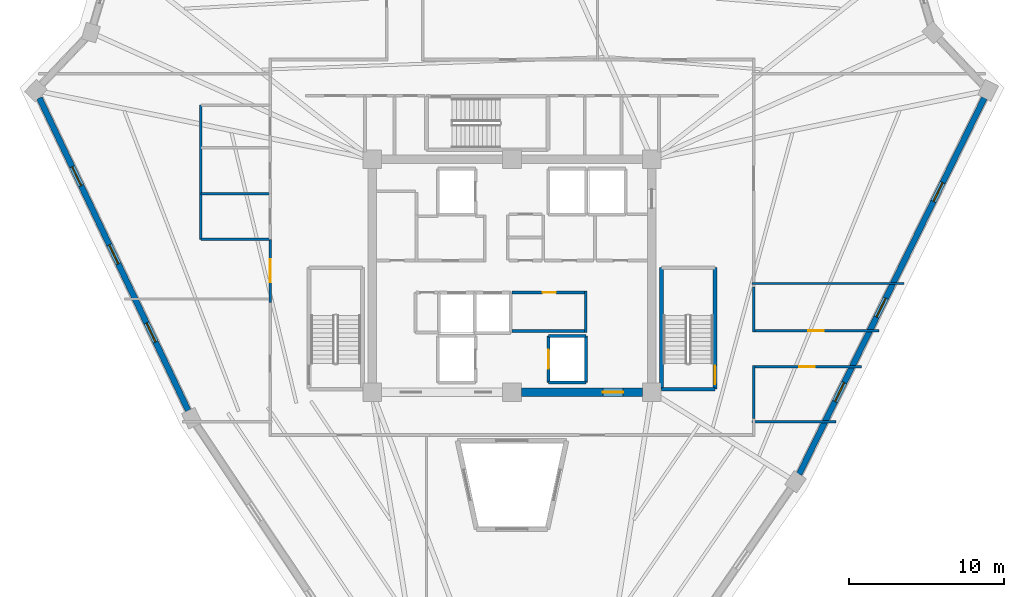
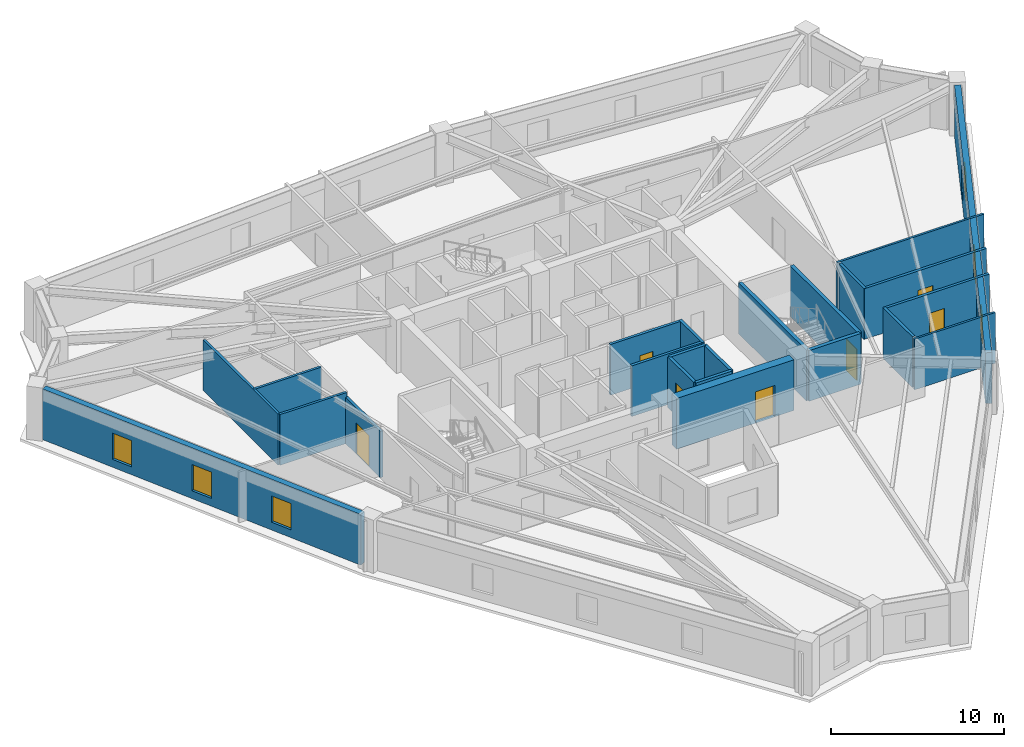
# One storey, part 4 of 8: 23 walls, 7 doors, 6 windows, 13 openings.
"""IFC4 building model written with IfcOpenShell, lengths in metres."""

import ifcopenshell
import ifcopenshell.guid

model = None  # the IFC model being written
_history = None  # IfcOwnerHistory: only IFC2X3 demands one
_inside = {}  # id of a spatial element -> (the spatial element, [elements in it])
_under = {}  # id of a project, library or spatial element -> (it, [spatial elements below it])
_declared = {}  # id of a project -> (the project, [libraries it declares])
_typed = {}  # id of a type object -> (the type object, [elements of that type])
_made_of = {}  # id of a material, layer set ... -> (it, [elements and type objects made of it])


def new_model(schema):
    """Start an empty IFC model of exactly this schema.

    Asked for "IFC4X3", IfcOpenShell would pick the latest addendum, in which some entities
    have other attributes; the version numbers below select the first issue.
    IFC2X3 requires an IfcOwnerHistory on every rooted entity: one is made here for all.
    """
    global model, _history
    if schema == "IFC4X3":
        model = ifcopenshell.file(schema_version=(4, 3, 0, 0))
    else:
        model = ifcopenshell.file(schema=schema)
    _inside.clear()
    _under.clear()
    _declared.clear()
    _typed.clear()
    _made_of.clear()
    _history = None
    if model.schema == "IFC2X3":
        org = make("IfcOrganization", Name="unknown")
        user = make(
            "IfcPersonAndOrganization",
            ThePerson=make("IfcPerson", FamilyName="unknown"),
            TheOrganization=org,
        )
        app = make(
            "IfcApplication",
            ApplicationDeveloper=org,
            Version="unknown",
            ApplicationFullName="unknown",
            ApplicationIdentifier="unknown",
        )
        _history = make(
            "IfcOwnerHistory",
            OwningUser=user,
            OwningApplication=app,
            ChangeAction="ADDED",
            CreationDate=0,
        )
    return model


def make(cls, **values):
    """One entity of the class cls with the attributes given. An attribute that is None is left unset."""
    return model.create_entity(
        cls, **{name: value for name, value in values.items() if value is not None}
    )


def rooted(cls, **values):
    """An entity with a GlobalId (a new one), such as an element, a storey or a relation."""
    return make(cls, GlobalId=ifcopenshell.guid.new(), OwnerHistory=_history, **values)


def si_unit(unit_type, name, prefix=None):
    """IfcSIUnit, for example si_unit("LENGTHUNIT", "METRE", prefix="MILLI")."""
    return make("IfcSIUnit", UnitType=unit_type, Prefix=prefix, Name=name)


def assignment(units):
    """IfcUnitAssignment: the units of a project."""
    return None if units is None else make("IfcUnitAssignment", Units=units)


def point(xyz):
    """IfcCartesianPoint."""
    return None if xyz is None else make("IfcCartesianPoint", Coordinates=xyz)


def direction(xyz):
    """IfcDirection."""
    return None if xyz is None else make("IfcDirection", DirectionRatios=xyz)


def frame(location, z_axis=None, x_axis=None):
    """IfcAxis2Placement3D, a coordinate frame: its origin and axes. An axis left out is left unset."""
    return make(
        "IfcAxis2Placement3D",
        Location=point(location),
        Axis=direction(z_axis),
        RefDirection=direction(x_axis),
    )


def frame_2d(location, x_axis=None):
    """IfcAxis2Placement2D, a coordinate frame in the plane: its origin and x axis."""
    return make(
        "IfcAxis2Placement2D", Location=point(location), RefDirection=direction(x_axis)
    )


def origin():
    """The frame at (0, 0, 0) with its axes left unset."""
    return frame((0.0, 0.0, 0.0))


def place(relative_to, where):
    """IfcLocalPlacement: puts the frame where relative to a parent placement (None: the world)."""
    return make(
        "IfcLocalPlacement", PlacementRelTo=relative_to, RelativePlacement=where
    )


def context(
    kind, dimensions, precision=None, world=None, true_north=None, identifier=None
):
    """IfcGeometricRepresentationContext, for example the 3D "Model" context."""
    return make(
        "IfcGeometricRepresentationContext",
        ContextIdentifier=identifier,
        ContextType=kind,
        CoordinateSpaceDimension=dimensions,
        Precision=precision,
        WorldCoordinateSystem=world,
        TrueNorth=true_north,
    )


def subcontext(parent, identifier, kind, view, scale=None):
    """IfcGeometricRepresentationSubContext, for example "Body" below "Model"."""
    return make(
        "IfcGeometricRepresentationSubContext",
        ContextIdentifier=identifier,
        ContextType=kind,
        ParentContext=parent,
        TargetScale=scale,
        TargetView=view,
    )


def project(units=None, contexts=None):
    """IfcProject with its units and contexts."""
    return rooted(
        "IfcProject",
        Name="project",
        RepresentationContexts=contexts,
        UnitsInContext=assignment(units),
    )


def spatial(cls, under=None, at=None, **own):
    """A site, building, storey or space (cls), placed at a placement, below another one or the project."""
    s = rooted(cls, ObjectPlacement=at, **own)
    if under is not None:
        _under.setdefault(under.id(), (under, []))[1].append(s)
    return s


def profile(cls, at=None, kind="AREA", **sizes):
    """A parametric profile (cls). Its sizes go by their IFC names, for example OverallWidth=200.0."""
    return make(cls, ProfileType=kind, Position=at, **sizes)


def rectangle(**sizes):
    """IfcRectangleProfileDef."""
    return profile("IfcRectangleProfileDef", **sizes)


def extrude(swept, where, along, depth):
    """IfcExtrudedAreaSolid: the profile swept, set in the frame where, extruded along a direction by depth."""
    return make(
        "IfcExtrudedAreaSolid",
        SweptArea=swept,
        Position=where,
        ExtrudedDirection=direction(along),
        Depth=depth,
    )


def shape(context_of_items, identifier, shape_type, items):
    """IfcShapeRepresentation: the items that make up one representation, for example the "Body"."""
    return make(
        "IfcShapeRepresentation",
        ContextOfItems=context_of_items,
        RepresentationIdentifier=identifier,
        RepresentationType=shape_type,
        Items=items,
    )


def source(mapping_origin, context_of_items, identifier, shape_type, items):
    """IfcRepresentationMap: a shape defined once, which mapped items show again and again."""
    return make(
        "IfcRepresentationMap",
        MappingOrigin=mapping_origin,
        MappedRepresentation=shape(context_of_items, identifier, shape_type, items),
    )


def transform(
    local_origin,
    x_axis=None,
    y_axis=None,
    z_axis=None,
    scale=None,
    scale2=None,
    scale3=None,
    uniform=True,
):
    """IfcCartesianTransformationOperator3D, or its non-uniform kind. x_axis, y_axis, z_axis: its Axis1, 2, 3."""
    if uniform:
        return make(
            "IfcCartesianTransformationOperator3D",
            Axis1=direction(x_axis),
            Axis2=direction(y_axis),
            LocalOrigin=point(local_origin),
            Scale=scale,
            Axis3=direction(z_axis),
        )
    return make(
        "IfcCartesianTransformationOperator3DnonUniform",
        Axis1=direction(x_axis),
        Axis2=direction(y_axis),
        LocalOrigin=point(local_origin),
        Scale=scale,
        Axis3=direction(z_axis),
        Scale2=scale2,
        Scale3=scale3,
    )


def mapped(mapping_source, mapping_target):
    """IfcMappedItem: shows the shape of a source again, moved by a transform."""
    return make(
        "IfcMappedItem", MappingSource=mapping_source, MappingTarget=mapping_target
    )


def material(Name=None, Category=None):
    """IfcMaterial."""
    return make("IfcMaterial", Name=Name, Category=Category)


def layer(
    of_material, thickness, ventilated=None, Name=None, Category=None, Priority=None
):
    """IfcMaterialLayer: one layer of a wall or slab, of a material (None: an air gap)."""
    return make(
        "IfcMaterialLayer",
        Material=of_material,
        LayerThickness=thickness,
        IsVentilated=ventilated,
        Name=Name,
        Category=Category,
        Priority=Priority,
    )


def layer_set(layers, Name=None):
    """IfcMaterialLayerSet."""
    return make("IfcMaterialLayerSet", MaterialLayers=layers, LayerSetName=Name)


def made_of(thing, what):
    """Note that an element or type object is made of a material, layer set ...; save() writes the relation."""
    if what is not None:
        _made_of.setdefault(what.id(), (what, []))[1].append(thing)
    return thing


def type_object(cls, material=None, **own):
    """A type object (cls), such as IfcWallType, which elements share."""
    return made_of(rooted(cls, **own), material)


def element(
    cls,
    number,
    at=None,
    inside=None,
    cuts=None,
    type_object=None,
    material=None,
    context=None,
    identifier="Body",
    shape_type=None,
    held_by="IfcProductDefinitionShape",
    body=None,
    shapes=None,
    **own,
):
    """One element of the class cls, such as IfcWall. Its Tag is "e" and its number.

    at: its placement. inside: the storey or other place that contains it. cuts: it is an
    opening in that element (IfcRelVoidsElement). A single representation is given by context,
    identifier, shape_type and body (its items); several are given by shapes. held_by: the class
    of the entity that holds the representations. save() writes the other relations.
    """
    e = rooted(cls, Tag="e%d" % number, ObjectPlacement=at, **own)
    if body is not None:
        shapes = [shape(context, identifier, shape_type, body)]
    if shapes is not None:
        e.Representation = make(held_by, Representations=shapes)
    if inside is not None:
        _inside.setdefault(inside.id(), (inside, []))[1].append(e)
    if cuts is not None:
        rooted(
            "IfcRelVoidsElement", RelatingBuildingElement=cuts, RelatedOpeningElement=e
        )
    if type_object is not None:
        _typed.setdefault(type_object.id(), (type_object, []))[1].append(e)
    return made_of(e, material)


def fill(opening, filler):
    """IfcRelFillsElement: the door or window that sits in an opening."""
    return rooted(
        "IfcRelFillsElement",
        RelatingOpeningElement=opening,
        RelatedBuildingElement=filler,
    )


def aggregate(whole, parts):
    """IfcRelAggregates: a whole, such as a stair, and the parts it consists of."""
    return rooted("IfcRelAggregates", RelatingObject=whole, RelatedObjects=parts)


def save(model, path):
    """Write the relations noted so far, then the file.

    IfcRelAggregates (storeys below a building ...), IfcRelContainedInSpatialStructure (elements
    in a storey), IfcRelDefinesByType, IfcRelAssociatesMaterial and IfcRelDeclares: one each for
    every whole, place, type object, material and project.
    """
    for whole, parts in _under.values():
        aggregate(whole, parts)
    for where, things in _inside.values():
        rooted(
            "IfcRelContainedInSpatialStructure",
            RelatedElements=things,
            RelatingStructure=where,
        )
    for kind, things in _typed.values():
        rooted("IfcRelDefinesByType", RelatedObjects=things, RelatingType=kind)
    for what, things in _made_of.values():
        rooted("IfcRelAssociatesMaterial", RelatedObjects=things, RelatingMaterial=what)
    for by, libraries in _declared.values():
        rooted("IfcRelDeclares", RelatingContext=by, RelatedDefinitions=libraries)
    model.write(path)


model = new_model("IFC4")

# Units and contexts
model_context = context("Model", 3, precision=1e-05, world=origin(), true_north=direction((0.0, 1.0)))
body_context = subcontext(model_context, "Body", "Model", "MODEL_VIEW")
ifc_project = project(units=[si_unit("LENGTHUNIT", "METRE"), si_unit("AREAUNIT", "SQUARE_METRE"), si_unit("VOLUMEUNIT", "CUBIC_METRE"), si_unit("PLANEANGLEUNIT", "RADIAN"), si_unit("MASSUNIT", "GRAM", prefix="KILO")], contexts=[model_context])

# Site, building, storey
site_placement = place(None, origin())
site = spatial("IfcSite", under=ifc_project, at=site_placement, CompositionType="ELEMENT")
building_placement = place(site_placement, origin())
building = spatial("IfcBuilding", under=site, at=building_placement, Name="Liaohun Quay Tower", CompositionType="ELEMENT")
storey_placement = place(building_placement, frame((0.0, 0.0, 290.25)))
storey = spatial("IfcBuildingStorey", under=building, at=storey_placement, Name="L75", CompositionType="ELEMENT", Elevation=290.25)

# Wall, opening, door
ifc_material_1 = material(Name="Concrete C50", Category="concrete")
ifc_layer_1 = layer(ifc_material_1, 0.550048828125, Name="Concrete C50", Category="concrete")
ifc_layer_set_1 = layer_set([ifc_layer_1], Name="Concrete C50")
wall_type_1 = type_object("IfcWallType", Name="WAL-COR-Z4", PredefinedType="SHEAR", material=ifc_layer_set_1)
wall_1_placement = place(storey_placement, frame((68.39990234375, 46.5, 0.0), z_axis=(0.0, 0.0, 1.0), x_axis=(-1.0, 0.0, 0.0)))
wall_1 = element("IfcWall", 1, at=wall_1_placement, inside=storey, type_object=wall_type_1, Name="L75 Central Core Shear Wall S-E", PredefinedType="SHEAR", context=body_context, shape_type="SweptSolid", body=[
    extrude(rectangle(XDim=7.7998046875, YDim=0.550048828125, at=frame_2d((3.89990234375, 0.0))), origin(), (0.0, 0.0, 1.0), 3.570068359375),
])
shared_shape_1 = source(origin(), body_context, "Body", "SweptSolid", [
    extrude(rectangle(XDim=1.300048828125, YDim=2.199951171875, at=frame_2d((0.64990234375, 1.10009765625))), frame((0.0, 0.284912109375, 0.0), z_axis=(0.0, -1.0, 0.0), x_axis=(1.0, 0.0, 0.0)), (0.0, 0.0, 1.0), 0.570068359375),
])
opening_1_placement = place(wall_1_placement, frame((1.25, 0.0, 0.0)))
opening_1 = element("IfcOpeningElement", 2, at=opening_1_placement, cuts=wall_1, Name="Opening FD1", PredefinedType="OPENING", context=body_context, shape_type="MappedRepresentation", body=[
    mapped(shared_shape_1, transform((0.0, 0.0, 0.0), x_axis=(1.0, 0.0, 0.0), y_axis=(0.0, 1.0, 0.0), z_axis=(0.0, 0.0, 1.0), scale=1.0)),
])
ifc_material_2 = material(Name="Galvanised steel smokeproof fire door", Category="steel")
door_type_1 = type_object("IfcDoorType", Name="DOR-FFL-1300", OperationType="NOTDEFINED", PredefinedType="DOOR", material=ifc_material_2)
shared_shape_2 = source(origin(), body_context, "Body", "SweptSolid", [
    extrude(rectangle(XDim=1.300048828125, YDim=2.199951171875, at=frame_2d((0.64990234375, 1.10009765625))), frame((0.0, 0.02490234375, 0.0), z_axis=(0.0, -1.0, 0.0), x_axis=(1.0, 0.0, 0.0)), (0.0, 0.0, 1.0), 0.050048828125),
])
door_1_placement = place(opening_1_placement, origin())
door_1 = element("IfcDoor", 3, at=door_1_placement, inside=storey, type_object=door_type_1, Name="L75 East Core Lift Lobby Smokeproof Door", OperationType="SINGLE_SWING_LEFT", OverallHeight=2.199951171875, OverallWidth=1.300048828125, PredefinedType="DOOR", context=body_context, shape_type="MappedRepresentation", body=[
    mapped(shared_shape_2, transform((0.0, 0.0, 0.0), x_axis=(1.0, 0.0, 0.0), y_axis=(0.0, 1.0, 0.0), z_axis=(0.0, 0.0, 1.0), scale=1.0)),
])
fill(opening_1, door_1)

# Wall, openings, windows
ifc_material_3 = material(Name="Precast concrete C50 insulated sandwich", Category="concrete")
ifc_layer_2 = layer(ifc_material_3, 0.3798828125, Name="Precast concrete C50 insulated sandwich", Category="concrete")
ifc_layer_set_2 = layer_set([ifc_layer_2], Name="Precast concrete C50 insulated sandwich")
wall_type_2 = type_object("IfcWallType", Name="WAL-EXT-Z34", PredefinedType="SOLIDWALL", material=ifc_layer_set_2)
wall_2_placement = place(storey_placement, frame((78.47998046875, 41.22607421875, 0.0), z_axis=(0.0, 0.0, 1.0), x_axis=(0.441646832519, 0.89718898529, 0.0)))
wall_2 = element("IfcWall", 4, at=wall_2_placement, inside=storey, type_object=wall_type_2, Name="L75 Brutalist Precast Pier Wall 03", PredefinedType="SOLIDWALL", context=body_context, shape_type="SweptSolid", body=[
    extrude(rectangle(XDim=26.987548828125, YDim=0.3798828125, at=frame_2d((13.49365234375, 0.0))), origin(), (0.0, 0.0, 1.0), 3.570068359375),
])
shared_shape_3 = source(origin(), body_context, "Body", "SweptSolid", [
    extrude(rectangle(XDim=1.35009765625, YDim=1.85009765625, at=frame_2d((0.675048828125, 0.925048828125))), frame((0.0, 0.199951171875, 0.0), z_axis=(0.0, -1.0, 0.0), x_axis=(1.0, 0.0, 0.0)), (0.0, 0.0, 1.0), 0.39990234375),
])
opening_2_placement = place(wall_2_placement, frame((5.221923828125, 0.0, 0.550048828125)))
opening_2 = element("IfcOpeningElement", 5, at=opening_2_placement, cuts=wall_2, Name="Opening W04", PredefinedType="OPENING", context=body_context, shape_type="MappedRepresentation", body=[
    mapped(shared_shape_3, transform((0.0, 0.0, 0.0), x_axis=(1.0, 0.0, 0.0), y_axis=(0.0, 1.0, 0.0), z_axis=(0.0, 0.0, 1.0), scale=1.0)),
])
opening_3_placement = place(wall_2_placement, frame((11.26904296875, 0.0, 0.550048828125)))
opening_3 = element("IfcOpeningElement", 6, at=opening_3_placement, cuts=wall_2, Name="Opening W04", PredefinedType="OPENING", context=body_context, shape_type="MappedRepresentation", body=[
    mapped(shared_shape_3, transform((0.0, 0.0, 0.0), x_axis=(1.0, 0.0, 0.0), y_axis=(0.0, 1.0, 0.0), z_axis=(0.0, 0.0, 1.0), scale=1.0)),
])
opening_4_placement = place(wall_2_placement, frame((19.56591796875, 0.0, 0.550048828125)))
opening_4 = element("IfcOpeningElement", 7, at=opening_4_placement, cuts=wall_2, Name="Opening W04", PredefinedType="OPENING", context=body_context, shape_type="MappedRepresentation", body=[
    mapped(shared_shape_3, transform((0.0, 0.0, 0.0), x_axis=(1.0, 0.0, 0.0), y_axis=(0.0, 1.0, 0.0), z_axis=(0.0, 0.0, 1.0), scale=1.0)),
])
ifc_material_4 = material(Name="Triple Low-E argon glazing in thermally broken aluminium", Category="aluminium")
window_type = type_object("IfcWindowType", Name="WIN-PUN-Z4", PartitioningType="SINGLE_PANEL", PredefinedType="WINDOW", material=ifc_material_4)
shared_shape_4 = source(origin(), body_context, "Body", "SweptSolid", [
    extrude(rectangle(XDim=1.35009765625, YDim=1.85009765625, at=frame_2d((0.675048828125, 0.925048828125))), frame((0.0, 0.030029296875, 0.0), z_axis=(0.0, -1.0, 0.0), x_axis=(1.0, 0.0, 0.0)), (0.0, 0.0, 1.0), 0.06005859375),
])
window_1_placement = place(opening_2_placement, origin())
window_1 = element("IfcWindow", 8, at=window_1_placement, inside=storey, type_object=window_type, Name="L75 Recessed Cold-Climate Punched Window 03-1", OverallHeight=1.85009765625, OverallWidth=1.35009765625, PartitioningType="SINGLE_PANEL", PredefinedType="WINDOW", context=body_context, shape_type="MappedRepresentation", body=[
    mapped(shared_shape_4, transform((0.0, 0.0, 0.0), x_axis=(1.0, 0.0, 0.0), y_axis=(0.0, 1.0, 0.0), z_axis=(0.0, 0.0, 1.0), scale=1.0)),
])
fill(opening_2, window_1)
window_2_placement = place(opening_3_placement, origin())
window_2 = element("IfcWindow", 9, at=window_2_placement, inside=storey, type_object=window_type, Name="L75 Recessed Cold-Climate Punched Window 03-2", OverallHeight=1.85009765625, OverallWidth=1.35009765625, PartitioningType="SINGLE_PANEL", PredefinedType="WINDOW", context=body_context, shape_type="MappedRepresentation", body=[
    mapped(shared_shape_4, transform((0.0, 0.0, 0.0), x_axis=(1.0, 0.0, 0.0), y_axis=(0.0, 1.0, 0.0), z_axis=(0.0, 0.0, 1.0), scale=1.0)),
])
fill(opening_3, window_2)
window_3_placement = place(opening_4_placement, origin())
window_3 = element("IfcWindow", 10, at=window_3_placement, inside=storey, type_object=window_type, Name="L75 Recessed Cold-Climate Punched Window 03-3", OverallHeight=1.85009765625, OverallWidth=1.35009765625, PartitioningType="SINGLE_PANEL", PredefinedType="WINDOW", context=body_context, shape_type="MappedRepresentation", body=[
    mapped(shared_shape_4, transform((0.0, 0.0, 0.0), x_axis=(1.0, 0.0, 0.0), y_axis=(0.0, 1.0, 0.0), z_axis=(0.0, 0.0, 1.0), scale=1.0)),
])
fill(opening_4, window_3)

wall_3_placement = place(storey_placement, frame((29.590087890625, 65.428955078125, 0.0), z_axis=(0.0, 0.0, 1.0), x_axis=(0.429890605998, -0.902880981567, 0.0)))
wall_3 = element("IfcWall", 11, at=wall_3_placement, inside=storey, type_object=wall_type_2, Name="L75 Brutalist Precast Pier Wall 10", PredefinedType="SOLIDWALL", context=body_context, shape_type="SweptSolid", body=[
    extrude(rectangle(XDim=22.27294921875, YDim=0.3798828125, at=frame_2d((11.136474609375, 0.0))), origin(), (0.0, 0.0, 1.0), 3.570068359375),
])
opening_5_placement = place(wall_3_placement, frame((4.89306640625, 0.0, 0.550048828125)))
opening_5 = element("IfcOpeningElement", 12, at=opening_5_placement, cuts=wall_3, Name="Opening W04", PredefinedType="OPENING", context=body_context, shape_type="MappedRepresentation", body=[
    mapped(shared_shape_3, transform((0.0, 0.0, 0.0), x_axis=(1.0, 0.0, 0.0), y_axis=(0.0, 1.0, 0.0), z_axis=(0.0, 0.0, 1.0), scale=1.0)),
])
opening_6_placement = place(wall_3_placement, frame((10.4619140625, 0.0, 0.550048828125)))
opening_6 = element("IfcOpeningElement", 13, at=opening_6_placement, cuts=wall_3, Name="Opening W04", PredefinedType="OPENING", context=body_context, shape_type="MappedRepresentation", body=[
    mapped(shared_shape_3, transform((0.0, 0.0, 0.0), x_axis=(1.0, 0.0, 0.0), y_axis=(0.0, 1.0, 0.0), z_axis=(0.0, 0.0, 1.0), scale=1.0)),
])
opening_7_placement = place(wall_3_placement, frame((16.030029296875, 0.0, 0.550048828125)))
opening_7 = element("IfcOpeningElement", 14, at=opening_7_placement, cuts=wall_3, Name="Opening W04", PredefinedType="OPENING", context=body_context, shape_type="MappedRepresentation", body=[
    mapped(shared_shape_3, transform((0.0, 0.0, 0.0), x_axis=(1.0, 0.0, 0.0), y_axis=(0.0, 1.0, 0.0), z_axis=(0.0, 0.0, 1.0), scale=1.0)),
])
window_4_placement = place(opening_5_placement, origin())
window_4 = element("IfcWindow", 15, at=window_4_placement, inside=storey, type_object=window_type, Name="L75 Recessed Cold-Climate Punched Window 10-1", OverallHeight=1.85009765625, OverallWidth=1.35009765625, PartitioningType="SINGLE_PANEL", PredefinedType="WINDOW", context=body_context, shape_type="MappedRepresentation", body=[
    mapped(shared_shape_4, transform((0.0, 0.0, 0.0), x_axis=(1.0, 0.0, 0.0), y_axis=(0.0, 1.0, 0.0), z_axis=(0.0, 0.0, 1.0), scale=1.0)),
])
fill(opening_5, window_4)
window_5_placement = place(opening_6_placement, origin())
window_5 = element("IfcWindow", 16, at=window_5_placement, inside=storey, type_object=window_type, Name="L75 Recessed Cold-Climate Punched Window 10-2", OverallHeight=1.85009765625, OverallWidth=1.35009765625, PartitioningType="SINGLE_PANEL", PredefinedType="WINDOW", context=body_context, shape_type="MappedRepresentation", body=[
    mapped(shared_shape_4, transform((0.0, 0.0, 0.0), x_axis=(1.0, 0.0, 0.0), y_axis=(0.0, 1.0, 0.0), z_axis=(0.0, 0.0, 1.0), scale=1.0)),
])
fill(opening_6, window_5)
window_6_placement = place(opening_7_placement, origin())
window_6 = element("IfcWindow", 17, at=window_6_placement, inside=storey, type_object=window_type, Name="L75 Recessed Cold-Climate Punched Window 10-3", OverallHeight=1.85009765625, OverallWidth=1.35009765625, PartitioningType="SINGLE_PANEL", PredefinedType="WINDOW", context=body_context, shape_type="MappedRepresentation", body=[
    mapped(shared_shape_4, transform((0.0, 0.0, 0.0), x_axis=(1.0, 0.0, 0.0), y_axis=(0.0, 1.0, 0.0), z_axis=(0.0, 0.0, 1.0), scale=1.0)),
])
fill(opening_7, window_6)

# Wall, opening, door
ifc_material_5 = material(Name="Autoclaved aerated concrete blockwork", Category="masonry")
ifc_layer_3 = layer(ifc_material_5, 0.179931640625, Name="Autoclaved aerated concrete blockwork", Category="masonry")
ifc_layer_set_3 = layer_set([ifc_layer_3], Name="Autoclaved aerated concrete blockwork")
wall_type_3 = type_object("IfcWallType", Name="WAL-PRT-COR", PredefinedType="PARTITIONING", material=ifc_layer_set_3)
wall_4_placement = place(storey_placement, frame((60.0, 52.919921875, 0.0), z_axis=(0.0, 0.0, 1.0), x_axis=(1.0, 0.0, 0.0)))
wall_4 = element("IfcWall", 18, at=wall_4_placement, inside=storey, type_object=wall_type_3, Name="L75 Interior Partition Wall 001", PredefinedType="PARTITIONING", context=body_context, shape_type="SweptSolid", body=[
    extrude(rectangle(XDim=4.659912109375, YDim=0.179931640625, at=frame_2d((2.330078125, 0.0))), origin(), (0.0, 0.0, 1.0), 3.570068359375),
])
shared_shape_5 = source(origin(), body_context, "Body", "SweptSolid", [
    extrude(rectangle(XDim=0.85009765625, YDim=2.10009765625, at=frame_2d((0.425048828125, 1.050048828125))), frame((0.0, 0.099853515625, 0.0), z_axis=(0.0, -1.0, 0.0), x_axis=(1.0, 0.0, 0.0)), (0.0, 0.0, 1.0), 0.199951171875),
])
opening_8_placement = place(wall_4_placement, frame((1.97509765625, 0.0, 0.0)))
opening_8 = element("IfcOpeningElement", 19, at=opening_8_placement, cuts=wall_4, Name="Opening AD1", PredefinedType="OPENING", context=body_context, shape_type="MappedRepresentation", body=[
    mapped(shared_shape_5, transform((0.0, 0.0, 0.0), x_axis=(1.0, 0.0, 0.0), y_axis=(0.0, 1.0, 0.0), z_axis=(0.0, 0.0, 1.0), scale=1.0)),
])
ifc_material_6 = material(Name="Steel riser inspection fire door", Category="steel")
door_type_2 = type_object("IfcDoorType", Name="DOR-SHF-850", OperationType="NOTDEFINED", PredefinedType="DOOR", material=ifc_material_6)
shared_shape_6 = source(origin(), body_context, "Body", "SweptSolid", [
    extrude(rectangle(XDim=0.85009765625, YDim=2.10009765625, at=frame_2d((0.425048828125, 1.050048828125))), frame((0.0, 0.02490234375, 0.0), z_axis=(0.0, -1.0, 0.0), x_axis=(1.0, 0.0, 0.0)), (0.0, 0.0, 1.0), 0.050048828125),
])
door_2_placement = place(opening_8_placement, origin())
door_2 = element("IfcDoor", 20, at=door_2_placement, inside=storey, type_object=door_type_2, Name="L75 Core High-Zone BMS and Switch Room Door", OperationType="SINGLE_SWING_LEFT", OverallHeight=2.10009765625, OverallWidth=0.85009765625, PredefinedType="DOOR", context=body_context, shape_type="MappedRepresentation", body=[
    mapped(shared_shape_6, transform((0.0, 0.0, 0.0), x_axis=(1.0, 0.0, 0.0), y_axis=(0.0, 1.0, 0.0), z_axis=(0.0, 0.0, 1.0), scale=1.0)),
])
fill(opening_8, door_2)

wall_5_placement = place(storey_placement, frame((44.43994140625, 52.284912109375, 0.0), z_axis=(0.0, 0.0, 1.0), x_axis=(0.0, 1.0, 0.0)))
wall_5 = element("IfcWall", 21, at=wall_5_placement, inside=storey, type_object=wall_type_3, Name="L75 Interior Partition Wall 023", PredefinedType="PARTITIONING", context=body_context, shape_type="SweptSolid", body=[
    extrude(rectangle(XDim=4.05517578125, YDim=0.179931640625, at=frame_2d((2.027587890625, 0.0))), origin(), (0.0, 0.0, 1.0), 3.260986328125),
])
shared_shape_7 = source(origin(), body_context, "Body", "SweptSolid", [
    extrude(rectangle(XDim=1.5, YDim=2.199951171875, at=frame_2d((0.75, 1.10009765625))), frame((0.0, 0.099853515625, 0.0), z_axis=(0.0, -1.0, 0.0), x_axis=(1.0, 0.0, 0.0)), (0.0, 0.0, 1.0), 0.199951171875),
])
opening_9_placement = place(wall_5_placement, frame((1.278076171875, 0.0, 0.0)))
opening_9 = element("IfcOpeningElement", 22, at=opening_9_placement, cuts=wall_5, Name="Opening OD2", PredefinedType="OPENING", context=body_context, shape_type="MappedRepresentation", body=[
    mapped(shared_shape_7, transform((0.0, 0.0, 0.0), x_axis=(1.0, 0.0, 0.0), y_axis=(0.0, 1.0, 0.0), z_axis=(0.0, 0.0, 1.0), scale=1.0)),
])
ifc_material_7 = material(Name="Acoustic oak veneer double door")
door_type_3 = type_object("IfcDoorType", Name="DOR-OFF-1500", OperationType="DOUBLE_DOOR_SINGLE_SWING", PredefinedType="DOOR", material=ifc_material_7)
shared_shape_8 = source(origin(), body_context, "Body", "SweptSolid", [
    extrude(rectangle(XDim=1.5, YDim=2.199951171875, at=frame_2d((0.75, 1.10009765625))), frame((0.0, 0.02490234375, 0.0), z_axis=(0.0, -1.0, 0.0), x_axis=(1.0, 0.0, 0.0)), (0.0, 0.0, 1.0), 0.050048828125),
])
door_3_placement = place(opening_9_placement, origin())
door_3 = element("IfcDoor", 23, at=door_3_placement, inside=storey, type_object=door_type_3, Name="L75 Occupational Wellness Clinic 05 Door", OperationType="DOUBLE_DOOR_SINGLE_SWING", OverallHeight=2.199951171875, OverallWidth=1.5, PredefinedType="DOOR", context=body_context, shape_type="MappedRepresentation", body=[
    mapped(shared_shape_8, transform((0.0, 0.0, 0.0), x_axis=(1.0, 0.0, 0.0), y_axis=(0.0, 1.0, 0.0), z_axis=(0.0, 0.0, 1.0), scale=1.0)),
])
fill(opening_9, door_3)

wall_6_placement = place(storey_placement, frame((82.47705078125, 48.139892578125, 0.0), z_axis=(0.0, 0.0, 1.0), x_axis=(-1.0, 0.0, 0.0)))
wall_6 = element("IfcWall", 24, at=wall_6_placement, inside=storey, type_object=wall_type_3, Name="L75 Interior Partition Wall 027", PredefinedType="PARTITIONING", context=body_context, shape_type="SweptSolid", body=[
    extrude(rectangle(XDim=6.987060546875, YDim=0.179931640625, at=frame_2d((3.49365234375, 0.0))), origin(), (0.0, 0.0, 1.0), 3.570068359375),
])
shared_shape_9 = source(origin(), body_context, "Body", "SweptSolid", [
    extrude(rectangle(XDim=1.0, YDim=2.199951171875, at=frame_2d((0.5, 1.10009765625))), frame((0.0, 0.099853515625, 0.0), z_axis=(0.0, -1.0, 0.0), x_axis=(1.0, 0.0, 0.0)), (0.0, 0.0, 1.0), 0.199951171875),
])
opening_10_placement = place(wall_6_placement, frame((2.993896484375, 0.0, 0.0)))
opening_10 = element("IfcOpeningElement", 25, at=opening_10_placement, cuts=wall_6, Name="Opening OD1", PredefinedType="OPENING", context=body_context, shape_type="MappedRepresentation", body=[
    mapped(shared_shape_9, transform((0.0, 0.0, 0.0), x_axis=(1.0, 0.0, 0.0), y_axis=(0.0, 1.0, 0.0), z_axis=(0.0, 0.0, 1.0), scale=1.0)),
])
ifc_material_8 = material(Name="Solid-core oak veneer timber leaf in steel frame", Category="steel")
door_type_4 = type_object("IfcDoorType", Name="DOR-OFF-1000", OperationType="NOTDEFINED", PredefinedType="DOOR", material=ifc_material_8)
shared_shape_10 = source(origin(), body_context, "Body", "SweptSolid", [
    extrude(rectangle(XDim=1.0, YDim=2.199951171875, at=frame_2d((0.5, 1.10009765625))), frame((0.0, 0.02490234375, 0.0), z_axis=(0.0, -1.0, 0.0), x_axis=(1.0, 0.0, 0.0)), (0.0, 0.0, 1.0), 0.050048828125),
])
door_4_placement = place(opening_10_placement, origin())
door_4 = element("IfcDoor", 26, at=door_4_placement, inside=storey, type_object=door_type_4, Name="L75 Records Archive Store 09 Door", OperationType="SINGLE_SWING_LEFT", OverallHeight=2.199951171875, OverallWidth=1.0, PredefinedType="DOOR", context=body_context, shape_type="MappedRepresentation", body=[
    mapped(shared_shape_10, transform((0.0, 0.0, 0.0), x_axis=(1.0, 0.0, 0.0), y_axis=(0.0, 1.0, 0.0), z_axis=(0.0, 0.0, 1.0), scale=1.0)),
])
fill(opening_10, door_4)

wall_7_placement = place(storey_placement, frame((75.489990234375, 50.4599609375, 0.0), z_axis=(0.0, 0.0, 1.0), x_axis=(1.0, 0.0, 0.0)))
wall_7 = element("IfcWall", 27, at=wall_7_placement, inside=storey, type_object=wall_type_3, Name="L75 Interior Partition Wall 028", PredefinedType="PARTITIONING", context=body_context, shape_type="SweptSolid", body=[
    extrude(rectangle(XDim=8.12890625, YDim=0.179931640625, at=frame_2d((4.064453125, 0.0))), origin(), (0.0, 0.0, 1.0), 3.570068359375),
])
opening_11_placement = place(wall_7_placement, frame((3.56494140625, 0.0, 0.0)))
opening_11 = element("IfcOpeningElement", 28, at=opening_11_placement, cuts=wall_7, Name="Opening OD1", PredefinedType="OPENING", context=body_context, shape_type="MappedRepresentation", body=[
    mapped(shared_shape_9, transform((0.0, 0.0, 0.0), x_axis=(1.0, 0.0, 0.0), y_axis=(0.0, 1.0, 0.0), z_axis=(0.0, 0.0, 1.0), scale=1.0)),
])
door_5_placement = place(opening_11_placement, origin())
door_5 = element("IfcDoor", 29, at=door_5_placement, inside=storey, type_object=door_type_4, Name="L75 Open-Plan Office Workplace 10 Door", OperationType="SINGLE_SWING_RIGHT", OverallHeight=2.199951171875, OverallWidth=1.0, PredefinedType="DOOR", context=body_context, shape_type="MappedRepresentation", body=[
    mapped(shared_shape_10, transform((0.0, 0.0, 0.0), x_axis=(1.0, 0.0, 0.0), y_axis=(0.0, 1.0, 0.0), z_axis=(0.0, 0.0, 1.0), scale=1.0)),
])
fill(opening_11, door_5)

# Walls
wall_8_placement = place(storey_placement, frame((75.56005859375, 48.2099609375, 0.0), z_axis=(0.0, 0.0, 1.0), x_axis=(0.0, -1.0, 0.0)))
element("IfcWall", 30, at=wall_8_placement, inside=storey, type_object=wall_type_3, Name="L75 Interior Partition Wall 053", PredefinedType="PARTITIONING", context=body_context, shape_type="SweptSolid", body=[
    extrude(rectangle(XDim=3.39501953125, YDim=0.179931640625, at=frame_2d((1.697509765625, 0.0))), origin(), (0.0, 0.0, 1.0), 3.570068359375),
])
wall_9_placement = place(storey_placement, frame((75.56005859375, 53.284912109375, 0.0), z_axis=(0.0, 0.0, 1.0), x_axis=(0.0, -1.0, 0.0)))
element("IfcWall", 31, at=wall_9_placement, inside=storey, type_object=wall_type_3, Name="L75 Interior Partition Wall 054", PredefinedType="PARTITIONING", context=body_context, shape_type="SweptSolid", body=[
    extrude(rectangle(XDim=2.89501953125, YDim=0.179931640625, at=frame_2d((1.447509765625, 0.0))), origin(), (0.0, 0.0, 1.0), 3.570068359375),
])
wall_10_placement = place(storey_placement, frame((64.75, 50.360107421875, 0.0), z_axis=(0.0, 0.0, 1.0), x_axis=(0.0, 1.0, 0.0)))
element("IfcWall", 32, at=wall_10_placement, inside=storey, type_object=wall_type_3, Name="L75 Interior Partition Wall 063", PredefinedType="PARTITIONING", context=body_context, shape_type="SweptSolid", body=[
    extrude(rectangle(XDim=2.64990234375, YDim=0.179931640625, at=frame_2d((1.324951171875, 0.0))), origin(), (0.0, 0.0, 1.0), 3.570068359375),
])
wall_11_placement = place(storey_placement, frame((60.0, 50.449951171875, 0.0), z_axis=(0.0, 0.0, 1.0), x_axis=(1.0, 0.0, 0.0)))
element("IfcWall", 33, at=wall_11_placement, inside=storey, type_object=wall_type_3, Name="L75 Interior Partition Wall 064", PredefinedType="PARTITIONING", context=body_context, shape_type="SweptSolid", body=[
    extrude(rectangle(XDim=4.659912109375, YDim=0.179931640625, at=frame_2d((2.330078125, 0.0))), origin(), (0.0, 0.0, 1.0), 3.570068359375),
])
ifc_material_9 = material(Name="Gypsum board on twin steel studs", Category="steel")
ifc_layer_4 = layer(ifc_material_9, 0.139892578125, Name="Gypsum board on twin steel studs", Category="steel")
ifc_layer_set_4 = layer_set([ifc_layer_4], Name="Gypsum board on twin steel studs")
wall_type_4 = type_object("IfcWallType", Name="WAL-PRT-OFF", PredefinedType="PARTITIONING", material=ifc_layer_set_4)
wall_12_placement = place(storey_placement, frame((75.4599609375, 44.60009765625, 0.0), z_axis=(0.0, 0.0, 1.0), x_axis=(1.0, 0.0, 0.0)))
element("IfcWall", 34, at=wall_12_placement, inside=storey, type_object=wall_type_4, Name="L75 Interior Partition Wall 058", PredefinedType="PARTITIONING", context=body_context, shape_type="SweptSolid", body=[
    extrude(rectangle(XDim=5.383056640625, YDim=0.139892578125, at=frame_2d((2.69140625, 0.0))), origin(), (0.0, 0.0, 1.0), 3.570068359375),
])
wall_13_placement = place(storey_placement, frame((75.4599609375, 53.5, 0.0), z_axis=(0.0, 0.0, 1.0), x_axis=(1.0, 0.0, 0.0)))
element("IfcWall", 35, at=wall_13_placement, inside=storey, type_object=wall_type_4, Name="L75 Interior Partition Wall 059", PredefinedType="PARTITIONING", context=body_context, shape_type="SweptSolid", body=[
    extrude(rectangle(XDim=9.76416015625, YDim=0.139892578125, at=frame_2d((4.882080078125, 0.0))), origin(), (0.0, 0.0, 1.0), 3.570068359375),
])
ifc_material_10 = material(Name="Moisture-resistant masonry blockwork", Category="masonry")
ifc_layer_5 = layer(ifc_material_10, 0.159912109375, Name="Moisture-resistant masonry blockwork", Category="masonry")
ifc_layer_set_5 = layer_set([ifc_layer_5], Name="Moisture-resistant masonry blockwork")
wall_type_5 = type_object("IfcWallType", Name="WAL-PRT-WET", PredefinedType="PARTITIONING", material=ifc_layer_set_5)
wall_14_placement = place(storey_placement, frame((39.97998046875, 56.340087890625, 0.0), z_axis=(0.0, 0.0, 1.0), x_axis=(0.0, 1.0, 0.0)))
element("IfcWall", 36, at=wall_14_placement, inside=storey, type_object=wall_type_5, Name="L75 Interior Partition Wall 036", PredefinedType="PARTITIONING", context=body_context, shape_type="SweptSolid", body=[
    extrude(rectangle(XDim=8.639892578125, YDim=0.159912109375, at=frame_2d((4.31982421875, 0.0))), origin(), (0.0, 0.0, 1.0), 3.570068359375),
])
for number, where, z_axis, x_axis, name in (
    (37, (39.97998046875, 56.340087890625, 0.0), (0.0, 0.0, 1.0), (1.0, 0.0, 0.0), "L75 Interior Partition Wall 037"),
    (38, (39.97998046875, 59.280029296875, 0.0), (0.0, 0.0, 1.0), (1.0, 0.0, 0.0), "L75 Interior Partition Wall 038"),
):
    element("IfcWall", number, at=place(storey_placement, frame(where, z_axis=z_axis, x_axis=x_axis)), inside=storey, type_object=wall_type_5, Name=name, PredefinedType="PARTITIONING", context=body_context, shape_type="SweptSolid", body=[
        extrude(rectangle(XDim=4.4599609375, YDim=0.159912109375, at=frame_2d((2.22998046875, 0.0))), origin(), (0.0, 0.0, 1.0), 3.570068359375),
    ])
ifc_layer_6 = layer(ifc_material_1, 0.239990234375, Name="Concrete C50", Category="concrete")
ifc_layer_set_6 = layer_set([ifc_layer_6], Name="Concrete C50")
wall_type_6 = type_object("IfcWallType", Name="WAL-SHF-200", PredefinedType="SOLIDWALL", material=ifc_layer_set_6)
wall_15_placement = place(storey_placement, frame((69.6201171875, 46.699951171875, 0.0), z_axis=(0.0, 0.0, 1.0), x_axis=(1.0, 0.0, 0.0)))
element("IfcWall", 39, at=wall_15_placement, inside=storey, type_object=wall_type_6, Name="L75 Stairwell ST-2 Structural Core Wall S", PredefinedType="SOLIDWALL", context=body_context, shape_type="SweptSolid", body=[
    extrude(rectangle(XDim=3.43994140625, YDim=0.239990234375, at=frame_2d((1.719970703125, 0.0))), origin(), (0.0, 0.0, 1.0), 3.570068359375),
])

# Wall, opening, door
wall_16_placement = place(storey_placement, frame((73.06005859375, 46.699951171875, 0.0), z_axis=(0.0, 0.0, 1.0), x_axis=(0.0, 1.0, 0.0)))
wall_16 = element("IfcWall", 40, at=wall_16_placement, inside=storey, type_object=wall_type_6, Name="L75 Stairwell ST-2 Structural Core Wall E", PredefinedType="SOLIDWALL", context=body_context, shape_type="SweptSolid", body=[
    extrude(rectangle(XDim=7.820068359375, YDim=0.239990234375, at=frame_2d((3.91015625, 0.0))), origin(), (0.0, 0.0, 1.0), 3.570068359375),
])
shared_shape_11 = source(origin(), body_context, "Body", "SweptSolid", [
    extrude(rectangle(XDim=1.199951171875, YDim=2.199951171875, at=frame_2d((0.60009765625, 1.10009765625))), frame((0.0, 0.1298828125, 0.0), z_axis=(0.0, -1.0, 0.0), x_axis=(1.0, 0.0, 0.0)), (0.0, 0.0, 1.0), 0.260009765625),
])
opening_12_placement = place(wall_16_placement, frame((0.320068359375, 0.0, 0.0)))
opening_12 = element("IfcOpeningElement", 41, at=opening_12_placement, cuts=wall_16, Name="Opening SD1", PredefinedType="OPENING", context=body_context, shape_type="MappedRepresentation", body=[
    mapped(shared_shape_11, transform((0.0, 0.0, 0.0), x_axis=(1.0, 0.0, 0.0), y_axis=(0.0, 1.0, 0.0), z_axis=(0.0, 0.0, 1.0), scale=1.0)),
])
ifc_material_11 = material(Name="Galvanised steel fire door", Category="steel")
door_type_5 = type_object("IfcDoorType", Name="DOR-STR-1200", OperationType="NOTDEFINED", PredefinedType="DOOR", material=ifc_material_11)
shared_shape_12 = source(origin(), body_context, "Body", "SweptSolid", [
    extrude(rectangle(XDim=1.199951171875, YDim=2.199951171875, at=frame_2d((0.60009765625, 1.10009765625))), frame((0.0, 0.02490234375, 0.0), z_axis=(0.0, -1.0, 0.0), x_axis=(1.0, 0.0, 0.0)), (0.0, 0.0, 1.0), 0.050048828125),
])
door_6_placement = place(opening_12_placement, origin())
door_6 = element("IfcDoor", 42, at=door_6_placement, inside=storey, type_object=door_type_5, Name="L75 Protected Stair ST-2 Fire Door", OperationType="SINGLE_SWING_RIGHT", OverallHeight=2.199951171875, OverallWidth=1.199951171875, PredefinedType="DOOR", context=body_context, shape_type="MappedRepresentation", body=[
    mapped(shared_shape_12, transform((0.0, 0.0, 0.0), x_axis=(1.0, 0.0, 0.0), y_axis=(0.0, 1.0, 0.0), z_axis=(0.0, 0.0, 1.0), scale=1.0)),
])
fill(opening_12, door_6)

# Walls
wall_17_placement = place(storey_placement, frame((69.6201171875, 54.52001953125, 0.0), z_axis=(0.0, 0.0, 1.0), x_axis=(0.0, -1.0, 0.0)))
element("IfcWall", 43, at=wall_17_placement, inside=storey, type_object=wall_type_6, Name="L75 Stairwell ST-2 Structural Core Wall W", PredefinedType="SOLIDWALL", context=body_context, shape_type="SweptSolid", body=[
    extrude(rectangle(XDim=7.820068359375, YDim=0.239990234375, at=frame_2d((3.91015625, 0.0))), origin(), (0.0, 0.0, 1.0), 3.570068359375),
])
wall_18_placement = place(storey_placement, frame((62.35009765625, 47.1201171875, 0.0), z_axis=(0.0, 0.0, 1.0), x_axis=(1.0, 0.0, 0.0)))
element("IfcWall", 44, at=wall_18_placement, inside=storey, type_object=wall_type_6, Name="L75 Lift FF-02 Hoistway Wall S", PredefinedType="SOLIDWALL", context=body_context, shape_type="SweptSolid", body=[
    extrude(rectangle(XDim=2.39990234375, YDim=0.199951171875, at=frame_2d((1.199951171875, 0.0))), origin(), (0.0, 0.0, 1.0), 3.570068359375),
])
wall_19_placement = place(storey_placement, frame((64.75, 47.1201171875, 0.0), z_axis=(0.0, 0.0, 1.0), x_axis=(0.0, 1.0, 0.0)))
element("IfcWall", 45, at=wall_19_placement, inside=storey, type_object=wall_type_6, Name="L75 Lift FF-02 Hoistway Wall E", PredefinedType="SOLIDWALL", context=body_context, shape_type="SweptSolid", body=[
    extrude(rectangle(XDim=3.0, YDim=0.199951171875, at=frame_2d((1.5, 0.0))), origin(), (0.0, 0.0, 1.0), 3.570068359375),
])
wall_20_placement = place(storey_placement, frame((64.75, 50.1201171875, 0.0), z_axis=(0.0, 0.0, 1.0), x_axis=(-1.0, 0.0, 0.0)))
element("IfcWall", 46, at=wall_20_placement, inside=storey, type_object=wall_type_6, Name="L75 Lift FF-02 Hoistway Wall N", PredefinedType="SOLIDWALL", context=body_context, shape_type="SweptSolid", body=[
    extrude(rectangle(XDim=2.39990234375, YDim=0.199951171875, at=frame_2d((1.199951171875, 0.0))), origin(), (0.0, 0.0, 1.0), 3.570068359375),
])

# Wall, opening, door
wall_21_placement = place(storey_placement, frame((62.35009765625, 50.1201171875, 0.0), z_axis=(0.0, 0.0, 1.0), x_axis=(0.0, -1.0, 0.0)))
wall_21 = element("IfcWall", 47, at=wall_21_placement, inside=storey, type_object=wall_type_6, Name="L75 Lift FF-02 Hoistway Wall W", PredefinedType="SOLIDWALL", context=body_context, shape_type="SweptSolid", body=[
    extrude(rectangle(XDim=3.0, YDim=0.199951171875, at=frame_2d((1.5, 0.0))), origin(), (0.0, 0.0, 1.0), 3.570068359375),
])
shared_shape_13 = source(origin(), body_context, "Body", "SweptSolid", [
    extrude(rectangle(XDim=1.199951171875, YDim=2.300048828125, at=frame_2d((0.60009765625, 1.14990234375))), frame((0.0, 0.10986328125, 0.0), z_axis=(0.0, -1.0, 0.0), x_axis=(1.0, 0.0, 0.0)), (0.0, 0.0, 1.0), 0.219970703125),
])
opening_13_placement = place(wall_21_placement, frame((0.89990234375, 0.0, 0.0)))
opening_13 = element("IfcOpeningElement", 48, at=opening_13_placement, cuts=wall_21, Name="Opening LD2", PredefinedType="OPENING", context=body_context, shape_type="MappedRepresentation", body=[
    mapped(shared_shape_13, transform((0.0, 0.0, 0.0), x_axis=(1.0, 0.0, 0.0), y_axis=(0.0, 1.0, 0.0), z_axis=(0.0, 0.0, 1.0), scale=1.0)),
])
ifc_material_12 = material(Name="Brushed stainless steel stretcher landing door", Category="steel")
door_type_6 = type_object("IfcDoorType", Name="DOR-LFT-1200", OperationType="SLIDING_TO_LEFT", PredefinedType="DOOR", material=ifc_material_12)
shared_shape_14 = source(origin(), body_context, "Body", "SweptSolid", [
    extrude(rectangle(XDim=1.199951171875, YDim=2.300048828125, at=frame_2d((0.60009765625, 1.14990234375))), frame((0.0, 0.02490234375, 0.0), z_axis=(0.0, -1.0, 0.0), x_axis=(1.0, 0.0, 0.0)), (0.0, 0.0, 1.0), 0.050048828125),
])
door_7_placement = place(opening_13_placement, origin())
door_7 = element("IfcDoor", 49, at=door_7_placement, inside=storey, type_object=door_type_6, Name="L75 Lift FF-02 Sliding Landing Door", OperationType="SLIDING_TO_LEFT", OverallHeight=2.300048828125, OverallWidth=1.199951171875, PredefinedType="DOOR", context=body_context, shape_type="MappedRepresentation", body=[
    mapped(shared_shape_14, transform((0.0, 0.0, 0.0), x_axis=(1.0, 0.0, 0.0), y_axis=(0.0, 1.0, 0.0), z_axis=(0.0, 0.0, 1.0), scale=1.0)),
])
fill(opening_13, door_7)

save(model, "model.ifc")
